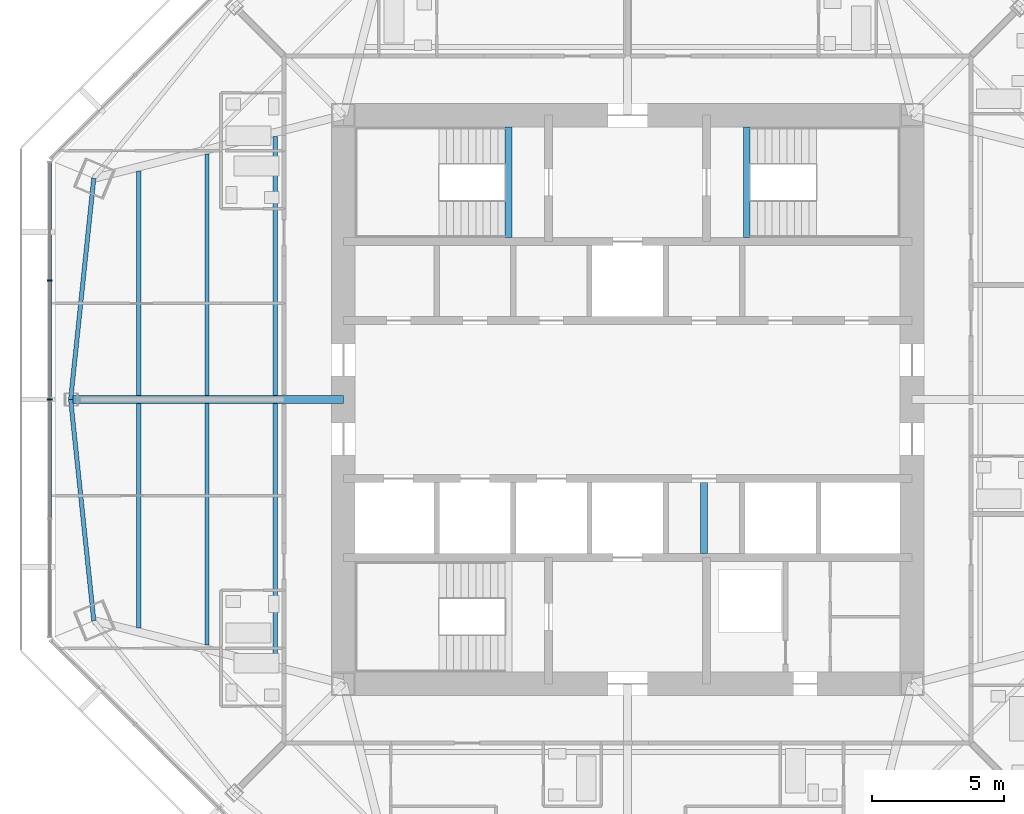
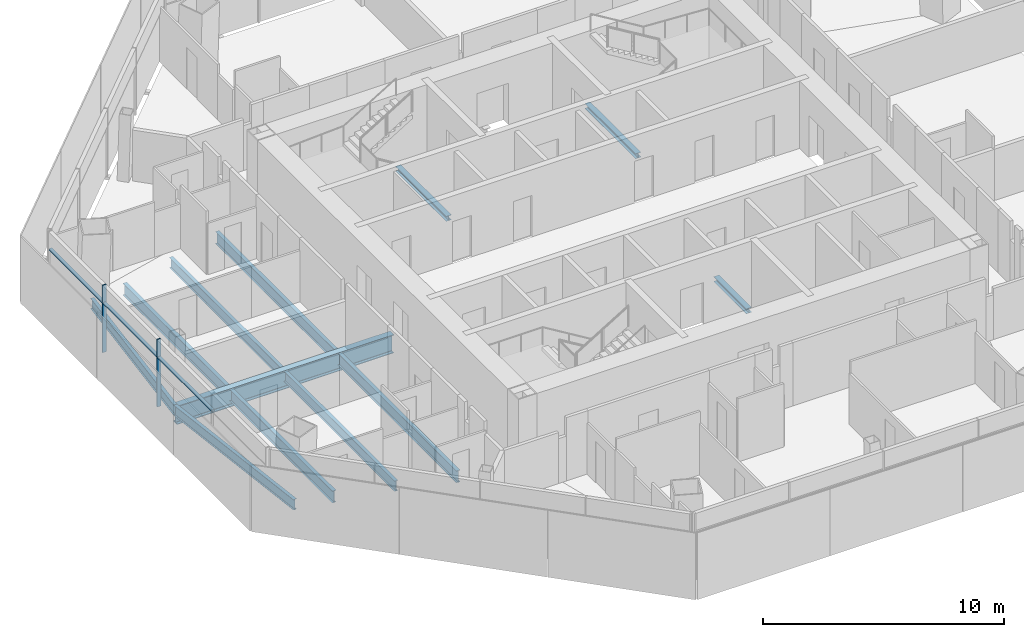
# One storey, part 3 of 15: 12 beams, 5 members, 1 element without a shape of its own.
"""IFC4 building model written with IfcOpenShell, lengths in metres."""

from ifc_helpers import new_model, si_unit, direction, frame, origin, origin_2d, place, context, subcontext, project, spatial, rectangle, i_section, extrude, source, transform, mapped, material, material_profile, profile_set, type_object, type_shapes, element, aggregate, save


model = new_model("IFC4")

# Units and contexts
model_context = context("Model", 3, precision=1e-05, world=origin(), true_north=direction((0.0, 1.0)))
body_context = subcontext(model_context, "Body", "Model", "MODEL_VIEW")
ifc_project = project(units=[si_unit("LENGTHUNIT", "METRE"), si_unit("AREAUNIT", "SQUARE_METRE"), si_unit("VOLUMEUNIT", "CUBIC_METRE"), si_unit("PLANEANGLEUNIT", "RADIAN"), si_unit("MASSUNIT", "GRAM", prefix="KILO")], contexts=[model_context])

# Site, building, storey
site_placement = place(None, origin())
site = spatial("IfcSite", under=ifc_project, at=site_placement, CompositionType="ELEMENT")
building_placement = place(site_placement, origin())
building = spatial("IfcBuilding", under=site, at=building_placement, Name="Mashrafa Tower", CompositionType="ELEMENT")
storey_placement = place(building_placement, frame((0.0, 0.0, 214.199951171875)))
storey = spatial("IfcBuildingStorey", under=building, at=storey_placement, Name="L49", CompositionType="ELEMENT", Elevation=214.199951171875)

# Beams
ifc_material_1 = material(Name="Steel ASTM A992", Category="steel")
ifc_material_profile_1 = material_profile(ifc_material_1, i_section(OverallWidth=0.1650390625, OverallDepth=0.52587890625, WebThickness=0.0087890625, FlangeThickness=0.011474609375, FilletRadius=0.0126953125, at=origin_2d()), Name="W21X44")
ifc_profile_set_1 = profile_set([ifc_material_profile_1], Name="Steel ASTM A992")
beam_type_1 = type_object("IfcBeamType", Name="Beam W21X44", PredefinedType="BEAM", material=ifc_profile_set_1)
for number, where, z_axis, x_axis, name in (
    (1, (-15.98046875, -9.33251953125, -0.462890625), (0.0, 1.0, 0.0), (-1.0, 0.0, 0.0), "Floor beam L49 004"),
    (2, (-15.98046875, 0.15380859375, -0.462890625), (0.0, 1.0, 0.0), (-1.0, 0.0, 0.0), "Floor beam L49 005"),
):
    element("IfcBeam", number, at=place(storey_placement, frame(where, z_axis=z_axis, x_axis=x_axis)), inside=storey, type_object=beam_type_1, Name=name, PredefinedType="BEAM", context=body_context, shape_type="SweptSolid", body=[
        extrude(i_section(OverallWidth=0.1650390625, OverallDepth=0.52587890625, WebThickness=0.0087890625, FlangeThickness=0.011474609375, FilletRadius=0.0126953125, at=origin_2d()), origin(), (0.0, 0.0, 1.0), 9.1787109375),
    ])
for number, where, z_axis, x_axis, name in (
    (3, (-21.160888671875, 0.0, -0.462890625), (0.103961094056, -0.994581364657, 0.0), (0.994581364657, 0.103961094056, 0.0), "Spandrel beam L49 049"),
    (4, (-20.28271484375, 8.4013671875, -0.462890625), (-0.103961094056, -0.994581364657, 0.0), (0.994581364657, -0.103961094056, 0.0), "Spandrel beam L49 051"),
):
    element("IfcBeam", number, at=place(storey_placement, frame(where, z_axis=z_axis, x_axis=x_axis)), inside=storey, type_object=beam_type_1, Name=name, PredefinedType="BEAM", context=body_context, shape_type="SweptSolid", body=[
        extrude(i_section(OverallWidth=0.1650390625, OverallDepth=0.52587890625, WebThickness=0.0087890625, FlangeThickness=0.011474609375, FilletRadius=0.0126953125, at=origin_2d()), origin(), (0.0, 0.0, 1.0), 8.447021484375),
    ])
ifc_material_2 = material(Name="Steel ASTM A992", Category="steel")
ifc_material_profile_2 = material_profile(ifc_material_2, i_section(OverallWidth=0.177978515625, OverallDepth=0.599365234375, WebThickness=0.010009765625, FlangeThickness=0.012939453125, FilletRadius=0.012939453125, at=origin_2d()), Name="W24X55")
ifc_profile_set_2 = profile_set([ifc_material_profile_2], Name="Steel ASTM A992")
beam_type_2 = type_object("IfcBeamType", Name="Beam W24X55", PredefinedType="BEAM", material=ifc_profile_set_2)
for number, where, z_axis, x_axis, name in (
    (5, (-18.57080078125, -8.67724609375, -0.499755859375), (0.0, 1.0, 0.0), (-1.0, 0.0, 0.0), "Floor beam L49 001"),
    (6, (-18.57080078125, 0.15380859375, -0.499755859375), (0.0, 1.0, 0.0), (-1.0, 0.0, 0.0), "Floor beam L49 002"),
):
    element("IfcBeam", number, at=place(storey_placement, frame(where, z_axis=z_axis, x_axis=x_axis)), inside=storey, type_object=beam_type_2, Name=name, PredefinedType="BEAM", context=body_context, shape_type="SweptSolid", body=[
        extrude(i_section(OverallWidth=0.177978515625, OverallDepth=0.599365234375, WebThickness=0.010009765625, FlangeThickness=0.012939453125, FilletRadius=0.012939453125, at=origin_2d()), origin(), (0.0, 0.0, 1.0), 8.5234375),
    ])
for number, where, z_axis, x_axis, name in (
    (7, (-13.390380859375, -9.987548828125, -0.499755859375), (0.0, 1.0, 0.0), (-1.0, 0.0, 0.0), "Floor beam L49 006"),
    (8, (-13.390380859375, 0.15380859375, -0.499755859375), (0.0, 1.0, 0.0), (-1.0, 0.0, 0.0), "Floor beam L49 007"),
):
    element("IfcBeam", number, at=place(storey_placement, frame(where, z_axis=z_axis, x_axis=x_axis)), inside=storey, type_object=beam_type_2, Name=name, PredefinedType="BEAM", context=body_context, shape_type="SweptSolid", body=[
        extrude(i_section(OverallWidth=0.177978515625, OverallDepth=0.599365234375, WebThickness=0.010009765625, FlangeThickness=0.012939453125, FilletRadius=0.012939453125, at=origin_2d()), origin(), (0.0, 0.0, 1.0), 9.833740234375),
    ])
ifc_material_3 = material(Name="Steel ASTM A992", Category="steel")
ifc_material_profile_3 = material_profile(ifc_material_3, i_section(OverallWidth=0.307373046875, OverallDepth=0.927001953125, WebThickness=0.01953125, FlangeThickness=0.031982421875, FilletRadius=0.01904296875, at=origin_2d()), Name="W36X194")
ifc_profile_set_3 = profile_set([ifc_material_profile_3], Name="Steel ASTM A992")
beam_type_3 = type_object("IfcBeamType", Name="Beam W36X194", PredefinedType="BEAM", material=ifc_profile_set_3)
beam_1_placement = place(storey_placement, frame((-10.800048828125, 0.0, -0.66357421875), z_axis=(-1.0, 0.0, 0.0), x_axis=(0.0, -1.0, 0.0)))
element("IfcBeam", 9, at=beam_1_placement, inside=storey, type_object=beam_type_3, Name="Radial girder L49 036", PredefinedType="BEAM", context=body_context, shape_type="SweptSolid", body=[
    extrude(i_section(OverallWidth=0.307373046875, OverallDepth=0.927001953125, WebThickness=0.01953125, FlangeThickness=0.031982421875, FilletRadius=0.01904296875, at=origin_2d()), origin(), (0.0, 0.0, 1.0), 10.36083984375),
])
ifc_material_4 = material(Name="Steel ASTM A992", Category="steel")
ifc_material_profile_4 = material_profile(ifc_material_4, i_section(OverallWidth=0.25390625, OverallDepth=0.25390625, WebThickness=0.008544921875, FlangeThickness=0.01416015625, FilletRadius=0.010009765625, at=origin_2d()), Name="W10X49")
ifc_profile_set_4 = profile_set([ifc_material_profile_4], Name="Steel ASTM A992")
beam_type_4 = type_object("IfcBeamType", Name="Hoistway beam W10X49", PredefinedType="BEAM", material=ifc_profile_set_4)
beam_2_placement = place(storey_placement, frame((2.89990234375, -5.85009765625, -0.326904296875), z_axis=(0.0, 1.0, 0.0), x_axis=(-1.0, 0.0, 0.0)))
element("IfcBeam", 10, at=beam_2_placement, inside=storey, type_object=beam_type_4, Name="Hoistway beam L49 07", PredefinedType="BEAM", context=body_context, shape_type="SweptSolid", body=[
    extrude(i_section(OverallWidth=0.25390625, OverallDepth=0.25390625, WebThickness=0.008544921875, FlangeThickness=0.01416015625, FilletRadius=0.010009765625, at=origin_2d()), origin(), (0.0, 0.0, 1.0), 2.7001953125),
])
for number, where, z_axis, x_axis, name in (
    (11, (-4.530029296875, 6.14990234375, -0.326904296875), (0.0, 1.0, 0.0), (-1.0, 0.0, 0.0), "Stair S1 landing beam L49"),
    (12, (4.530029296875, 6.14990234375, -0.326904296875), (0.0, 1.0, 0.0), (-1.0, 0.0, 0.0), "Stair S2 landing beam L49"),
):
    element("IfcBeam", number, at=place(storey_placement, frame(where, z_axis=z_axis, x_axis=x_axis)), inside=storey, type_object=beam_type_4, Name=name, PredefinedType="BEAM", context=body_context, shape_type="SweptSolid", body=[
        extrude(i_section(OverallWidth=0.25390625, OverallDepth=0.25390625, WebThickness=0.008544921875, FlangeThickness=0.01416015625, FilletRadius=0.010009765625, at=origin_2d()), origin(), (0.0, 0.0, 1.0), 4.2001953125),
    ])

# Curtain wall, members
ifc_material_5 = material(Name="Unitised aluminium curtain wall", Category="aluminium")
curtain_wall_type = type_object("IfcCurtainWallType", Name="Apartment curtain wall, zone 3 CW-C 180 deep", PredefinedType="NOTDEFINED", material=ifc_material_5)
curtain_wall_placement = place(storey_placement, origin())
curtain_wall = element("IfcCurtainWall", 13, at=curtain_wall_placement, inside=storey, type_object=curtain_wall_type, Name="Apartment curtain wall, zone 3 L49 west", PredefinedType="NOTDEFINED")
ifc_material_6 = material(Name="Extruded aluminium mullion", Category="aluminium")
ifc_material_profile_5 = material_profile(ifc_material_6, rectangle(XDim=0.179931640625, YDim=0.06005859375, at=origin_2d()), Name="Mullion 60x180")
ifc_profile_set_5 = profile_set([ifc_material_profile_5], Name="Extruded aluminium mullion")
member_type_1 = type_object("IfcMemberType", Name="Mullion CW-C 60 x 180", PredefinedType="MULLION", material=ifc_profile_set_5)
shared_shape_1 = source(origin(), body_context, "Body", "SweptSolid", [
    extrude(rectangle(XDim=0.179931640625, YDim=0.06005859375, at=origin_2d()), origin(), (0.0, 0.0, 1.0), 3.400146484375),
])
type_shapes(member_type_1, [shared_shape_1])
member_1_placement = place(storey_placement, frame((-21.955322265625, 4.5234375, 0.0), z_axis=(0.0, 0.0, 1.0), x_axis=(1.0, 0.0, 0.0)))
member_1 = element("IfcMember", 14, at=member_1_placement, type_object=member_type_1, Name="CW-C mullion 2", PredefinedType="MULLION", context=body_context, shape_type="MappedRepresentation", body=[
    mapped(shared_shape_1, transform((0.0, 0.0, 0.0))),
])
member_2_placement = place(storey_placement, frame((-21.955322265625, 0.0, 0.0), z_axis=(0.0, 0.0, 1.0), x_axis=(1.0, 0.0, 0.0)))
member_2 = element("IfcMember", 15, at=member_2_placement, type_object=member_type_1, Name="CW-C mullion 3", PredefinedType="MULLION", context=body_context, shape_type="MappedRepresentation", body=[
    mapped(shared_shape_1, transform((0.0, 0.0, 0.0))),
])
ifc_material_7 = material(Name="Extruded aluminium transom", Category="aluminium")
ifc_material_profile_6 = material_profile(ifc_material_7, rectangle(XDim=0.14404296875, YDim=0.074951171875, at=origin_2d()), Name="Transom 75x144")
ifc_profile_set_6 = profile_set([ifc_material_profile_6], Name="Extruded aluminium transom")
member_type_2 = type_object("IfcMemberType", Name="Transom CW-C 75 x 144", PredefinedType="MULLION", material=ifc_profile_set_6)
shared_shape_2 = source(origin(), body_context, "Body", "SweptSolid", [
    extrude(rectangle(XDim=0.14404296875, YDim=0.074951171875, at=origin_2d()), origin(), (0.0, 0.0, 1.0), 4.433349609375),
])
member_3_placement = place(storey_placement, frame((-21.955322265625, 8.98681640625, 2.5), z_axis=(0.0, -1.0, 0.0), x_axis=(1.0, 0.0, 0.0)))
member_3 = element("IfcMember", 16, at=member_3_placement, type_object=member_type_2, Name="CW-C transom 1", PredefinedType="MULLION", context=body_context, shape_type="MappedRepresentation", body=[
    mapped(shared_shape_2, transform((0.0, 0.0, 0.0))),
])
shared_shape_3 = source(origin(), body_context, "Body", "SweptSolid", [
    extrude(rectangle(XDim=0.14404296875, YDim=0.074951171875, at=origin_2d()), origin(), (0.0, 0.0, 1.0), 4.46337890625),
])
type_shapes(member_type_2, [shared_shape_2, shared_shape_3])
member_4_placement = place(storey_placement, frame((-21.955322265625, 4.493408203125, 2.5), z_axis=(0.0, -1.0, 0.0), x_axis=(1.0, 0.0, 0.0)))
member_4 = element("IfcMember", 17, at=member_4_placement, type_object=member_type_2, Name="CW-C transom 2", PredefinedType="MULLION", context=body_context, shape_type="MappedRepresentation", body=[
    mapped(shared_shape_3, transform((0.0, 0.0, 0.0))),
])
member_5_placement = place(storey_placement, frame((-21.955322265625, -0.030029296875, 2.5), z_axis=(0.0, -1.0, 0.0), x_axis=(1.0, 0.0, 0.0)))
member_5 = element("IfcMember", 18, at=member_5_placement, type_object=member_type_2, Name="CW-C transom 3", PredefinedType="MULLION", context=body_context, shape_type="MappedRepresentation", body=[
    mapped(shared_shape_3, transform((0.0, 0.0, 0.0))),
])
aggregate(curtain_wall, [member_1, member_2, member_3, member_4, member_5])

save(model, "model.ifc")
